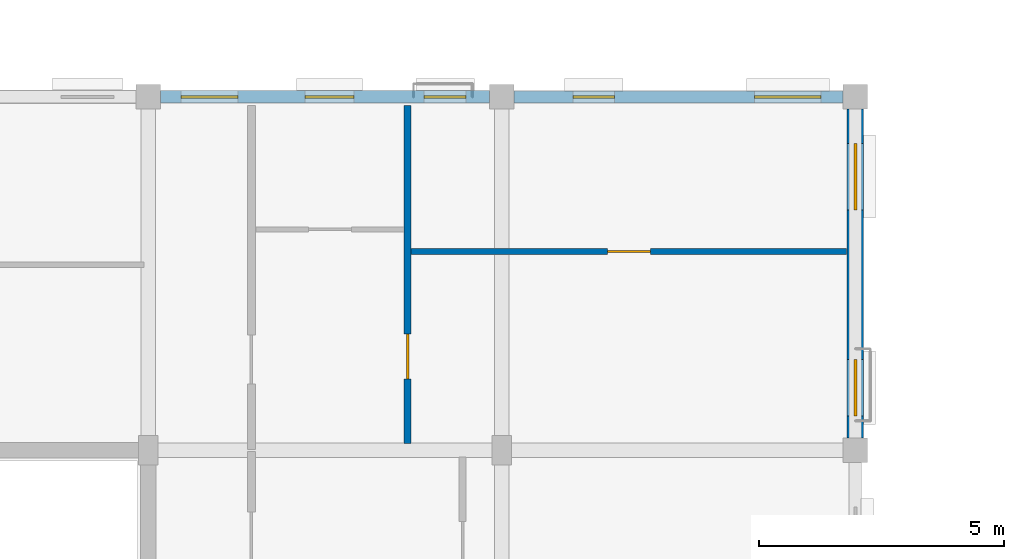
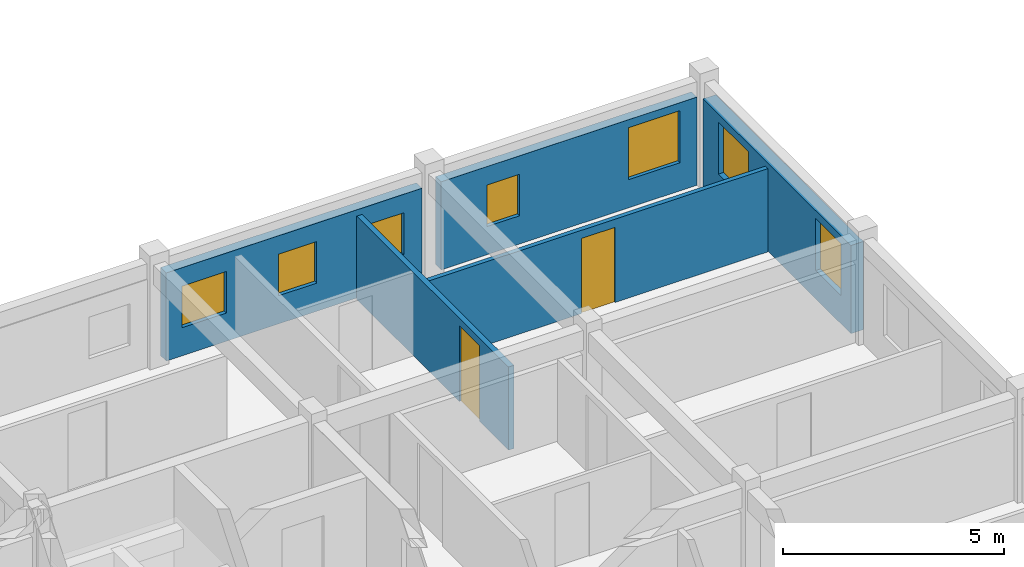
# One storey, part 20 of 38: 7 windows, 5 walls, 2 doors, 9 openings.
"""IFC4 building model written with IfcOpenShell, lengths in metres."""

from ifc_helpers import new_model, si_unit, direction, frame, frame_2d, origin, place, context, subcontext, project, spatial, rectangle, extrude, material, layer, layer_set, type_object, element, fill, save


model = new_model("IFC4")

# Units and contexts
model_context = context("Model", 3, precision=1e-05, world=origin(), true_north=direction((0.0, 1.0)))
body_context = subcontext(model_context, "Body", "Model", "MODEL_VIEW")
ifc_project = project(units=[si_unit("LENGTHUNIT", "METRE"), si_unit("AREAUNIT", "SQUARE_METRE"), si_unit("VOLUMEUNIT", "CUBIC_METRE"), si_unit("PLANEANGLEUNIT", "RADIAN"), si_unit("MASSUNIT", "GRAM", prefix="KILO"), si_unit("THERMODYNAMICTEMPERATUREUNIT", "KELVIN"), si_unit("POWERUNIT", "WATT")], contexts=[model_context])

# Site, building, storey
site_placement = place(None, origin())
site = spatial("IfcSite", under=ifc_project, at=site_placement, CompositionType="ELEMENT")
building_placement = place(site_placement, origin())
building = spatial("IfcBuilding", under=site, at=building_placement, Name="Tavuni Mirador Residences", CompositionType="ELEMENT")
storey_placement = place(building_placement, frame((0.0, 0.0, 32.85009765625)))
storey = spatial("IfcBuildingStorey", under=building, at=storey_placement, Name="L10", CompositionType="ELEMENT", Elevation=32.85009765625)

# Wall, openings, windows
ifc_material_1 = material(Name="Precast concrete C40/50", Category="concrete")
ifc_layer_1 = layer(ifc_material_1, 0.330078125, Name="Precast concrete C40/50", Category="concrete")
ifc_layer_set_1 = layer_set([ifc_layer_1], Name="Precast concrete C40/50")
wall_type_1 = type_object("IfcWallType", Name="WT-EXT-COR330", PredefinedType="SOLIDWALL", material=ifc_layer_set_1)
wall_1_placement = place(storey_placement, frame((32.39990234375, 36.25, 0.0), z_axis=(0.0, 0.0, 1.0), x_axis=(0.0, 1.0, 0.0)))
wall_1 = element("IfcWall", 1, at=wall_1_placement, inside=storey, type_object=wall_type_1, Name="EW-BLK-A-L10-E04", PredefinedType="SOLIDWALL", context=body_context, shape_type="SweptSolid", body=[
    extrude(rectangle(XDim=6.699951171875, YDim=0.330078125, at=frame_2d((3.35009765625, 0.0))), origin(), (0.0, 0.0, 1.0), 2.43994140625),
])
opening_1_placement = place(wall_1_placement, frame((0.449951171875, 0.0, 0.780029296875)))
opening_1 = element("IfcOpeningElement", 2, at=opening_1_placement, cuts=wall_1, Name="Opening WN-27", PredefinedType="OPENING", context=body_context, shape_type="SweptSolid", body=[
    extrude(rectangle(XDim=1.14990234375, YDim=1.43994140625, at=frame_2d((0.574951171875, 0.719970703125))), frame((0.0, 0.175048828125, 0.0), z_axis=(0.0, -1.0, 0.0), x_axis=(1.0, 0.0, 0.0)), (0.0, 0.0, 1.0), 0.35009765625),
])
opening_2_placement = place(wall_1_placement, frame((4.64990234375, 0.0, 0.780029296875)))
opening_2 = element("IfcOpeningElement", 3, at=opening_2_placement, cuts=wall_1, Name="Opening WN-29", PredefinedType="OPENING", context=body_context, shape_type="SweptSolid", body=[
    extrude(rectangle(XDim=1.35009765625, YDim=1.43994140625, at=frame_2d((0.675048828125, 0.719970703125))), frame((0.0, 0.175048828125, 0.0), z_axis=(0.0, -1.0, 0.0), x_axis=(1.0, 0.0, 0.0)), (0.0, 0.0, 1.0), 0.35009765625),
])
ifc_material_2 = material(Name="Laminated solar-control glass", Category="glass")
window_type_1 = type_object("IfcWindowType", Name="WNT-27", PartitioningType="SINGLE_PANEL", PredefinedType="WINDOW", material=ifc_material_2)
window_1_placement = place(opening_1_placement, origin())
window_1 = element("IfcWindow", 4, at=window_1_placement, inside=storey, type_object=window_type_1, Name="WIN-0376", OverallHeight=1.43994140625, OverallWidth=1.14990234375, PartitioningType="SINGLE_PANEL", PredefinedType="WINDOW", context=body_context, shape_type="SweptSolid", body=[
    extrude(rectangle(XDim=1.14990234375, YDim=1.43994140625, at=frame_2d((0.574951171875, 0.719970703125))), frame((0.0, 0.030029296875, 0.0), z_axis=(0.0, -1.0, 0.0), x_axis=(1.0, 0.0, 0.0)), (0.0, 0.0, 1.0), 0.06005859375),
])
fill(opening_1, window_1)
window_type_2 = type_object("IfcWindowType", Name="WNT-29", PartitioningType="SINGLE_PANEL", PredefinedType="WINDOW", material=ifc_material_2)
window_2_placement = place(opening_2_placement, origin())
window_2 = element("IfcWindow", 5, at=window_2_placement, inside=storey, type_object=window_type_2, Name="WIN-0377", OverallHeight=1.43994140625, OverallWidth=1.35009765625, PartitioningType="SINGLE_PANEL", PredefinedType="WINDOW", context=body_context, shape_type="SweptSolid", body=[
    extrude(rectangle(XDim=1.35009765625, YDim=1.43994140625, at=frame_2d((0.675048828125, 0.719970703125))), frame((0.0, 0.030029296875, 0.0), z_axis=(0.0, -1.0, 0.0), x_axis=(1.0, 0.0, 0.0)), (0.0, 0.0, 1.0), 0.06005859375),
])
fill(opening_2, window_2)

ifc_material_3 = material(Name="Sgraffito lime-rendered precast concrete C40/50", Category="concrete")
ifc_layer_2 = layer(ifc_material_3, 0.2451171875, Name="Sgraffito lime-rendered precast concrete C40/50", Category="concrete")
ifc_layer_set_2 = layer_set([ifc_layer_2], Name="Sgraffito lime-rendered precast concrete C40/50")
wall_type_2 = type_object("IfcWallType", Name="WT-EXT-PC245", PredefinedType="SOLIDWALL", material=ifc_layer_set_2)
wall_2_placement = place(storey_placement, frame((32.14990234375, 43.199951171875, 0.0), z_axis=(0.0, 0.0, 1.0), x_axis=(-1.0, 0.0, 0.0)))
wall_2 = element("IfcWall", 6, at=wall_2_placement, inside=storey, type_object=wall_type_2, Name="EW-BLK-A-L10-N03", PredefinedType="SOLIDWALL", context=body_context, shape_type="SweptSolid", body=[
    extrude(rectangle(XDim=6.699951171875, YDim=0.2451171875, at=frame_2d((3.35009765625, 0.0))), origin(), (0.0, 0.0, 1.0), 2.43994140625),
])
opening_3_placement = place(wall_2_placement, frame((0.449951171875, 0.0, 0.780029296875)))
opening_3 = element("IfcOpeningElement", 7, at=opening_3_placement, cuts=wall_2, Name="Opening WN-29", PredefinedType="OPENING", context=body_context, shape_type="SweptSolid", body=[
    extrude(rectangle(XDim=1.35009765625, YDim=1.43994140625, at=frame_2d((0.675048828125, 0.719970703125))), frame((0.0, 0.132568359375, 0.0), z_axis=(0.0, -1.0, 0.0), x_axis=(1.0, 0.0, 0.0)), (0.0, 0.0, 1.0), 0.26513671875),
])
opening_4_placement = place(wall_2_placement, frame((4.64990234375, 0.0, 0.780029296875)))
opening_4 = element("IfcOpeningElement", 8, at=opening_4_placement, cuts=wall_2, Name="Opening WN-01", PredefinedType="OPENING", context=body_context, shape_type="SweptSolid", body=[
    extrude(rectangle(XDim=0.85009765625, YDim=1.14990234375, at=frame_2d((0.425048828125, 0.574951171875))), frame((0.0, 0.132568359375, 0.0), z_axis=(0.0, -1.0, 0.0), x_axis=(1.0, 0.0, 0.0)), (0.0, 0.0, 1.0), 0.26513671875),
])
window_type_3 = type_object("IfcWindowType", Name="WNT-01", PartitioningType="SINGLE_PANEL", PredefinedType="WINDOW", material=ifc_material_2)
window_3_placement = place(opening_4_placement, origin())
window_3 = element("IfcWindow", 9, at=window_3_placement, inside=storey, type_object=window_type_3, Name="WIN-0379", OverallHeight=1.14990234375, OverallWidth=0.85009765625, PartitioningType="SINGLE_PANEL", PredefinedType="WINDOW", context=body_context, shape_type="SweptSolid", body=[
    extrude(rectangle(XDim=0.85009765625, YDim=1.14990234375, at=frame_2d((0.425048828125, 0.574951171875))), frame((0.0, 0.030029296875, 0.0), z_axis=(0.0, -1.0, 0.0), x_axis=(1.0, 0.0, 0.0)), (0.0, 0.0, 1.0), 0.06005859375),
])
fill(opening_4, window_3)
window_4_placement = place(opening_3_placement, origin())
window_4 = element("IfcWindow", 10, at=window_4_placement, inside=storey, type_object=window_type_2, Name="WIN-0378", OverallHeight=1.43994140625, OverallWidth=1.35009765625, PartitioningType="SINGLE_PANEL", PredefinedType="WINDOW", context=body_context, shape_type="SweptSolid", body=[
    extrude(rectangle(XDim=1.35009765625, YDim=1.43994140625, at=frame_2d((0.675048828125, 0.719970703125))), frame((0.0, 0.030029296875, 0.0), z_axis=(0.0, -1.0, 0.0), x_axis=(1.0, 0.0, 0.0)), (0.0, 0.0, 1.0), 0.06005859375),
])
fill(opening_3, window_4)

ifc_layer_3 = layer(ifc_material_3, 0.2548828125, Name="Sgraffito lime-rendered precast concrete C40/50", Category="concrete")
ifc_layer_set_3 = layer_set([ifc_layer_3], Name="Sgraffito lime-rendered precast concrete C40/50")
wall_type_3 = type_object("IfcWallType", Name="WT-EXT-PC255", PredefinedType="SOLIDWALL", material=ifc_layer_set_3)
wall_3_placement = place(storey_placement, frame((24.949951171875, 43.199951171875, 0.0), z_axis=(0.0, 0.0, 1.0), x_axis=(-1.0, 0.0, 0.0)))
wall_3 = element("IfcWall", 11, at=wall_3_placement, inside=storey, type_object=wall_type_3, Name="EW-BLK-A-L10-N02", PredefinedType="SOLIDWALL", context=body_context, shape_type="SweptSolid", body=[
    extrude(rectangle(XDim=6.699951171875, YDim=0.2548828125, at=frame_2d((3.35009765625, 0.0))), origin(), (0.0, 0.0, 1.0), 2.43994140625),
])
opening_5_placement = place(wall_3_placement, frame((0.47998046875, 0.0, 0.780029296875)))
opening_5 = element("IfcOpeningElement", 12, at=opening_5_placement, cuts=wall_3, Name="Opening WN-01", PredefinedType="OPENING", context=body_context, shape_type="SweptSolid", body=[
    extrude(rectangle(XDim=0.85009765625, YDim=1.14990234375, at=frame_2d((0.425048828125, 0.574951171875))), frame((0.0, 0.137451171875, 0.0), z_axis=(0.0, -1.0, 0.0), x_axis=(1.0, 0.0, 0.0)), (0.0, 0.0, 1.0), 0.27490234375),
])
opening_6_placement = place(wall_3_placement, frame((2.760009765625, 0.0, 0.780029296875)))
opening_6 = element("IfcOpeningElement", 13, at=opening_6_placement, cuts=wall_3, Name="Opening WN-03", PredefinedType="OPENING", context=body_context, shape_type="SweptSolid", body=[
    extrude(rectangle(XDim=1.0, YDim=1.14990234375, at=frame_2d((0.5, 0.574951171875))), frame((0.0, 0.137451171875, 0.0), z_axis=(0.0, -1.0, 0.0), x_axis=(1.0, 0.0, 0.0)), (0.0, 0.0, 1.0), 0.27490234375),
])
opening_7_placement = place(wall_3_placement, frame((5.125, 0.0, 0.780029296875)))
opening_7 = element("IfcOpeningElement", 14, at=opening_7_placement, cuts=wall_3, Name="Opening WN-05", PredefinedType="OPENING", context=body_context, shape_type="SweptSolid", body=[
    extrude(rectangle(XDim=1.159912109375, YDim=1.14990234375, at=frame_2d((0.580078125, 0.574951171875))), frame((0.0, 0.137451171875, 0.0), z_axis=(0.0, -1.0, 0.0), x_axis=(1.0, 0.0, 0.0)), (0.0, 0.0, 1.0), 0.27490234375),
])
window_5_placement = place(opening_5_placement, origin())
window_5 = element("IfcWindow", 15, at=window_5_placement, inside=storey, type_object=window_type_3, Name="WIN-0380", OverallHeight=1.14990234375, OverallWidth=0.85009765625, PartitioningType="SINGLE_PANEL", PredefinedType="WINDOW", context=body_context, shape_type="SweptSolid", body=[
    extrude(rectangle(XDim=0.85009765625, YDim=1.14990234375, at=frame_2d((0.425048828125, 0.574951171875))), frame((0.0, 0.030029296875, 0.0), z_axis=(0.0, -1.0, 0.0), x_axis=(1.0, 0.0, 0.0)), (0.0, 0.0, 1.0), 0.06005859375),
])
fill(opening_5, window_5)
window_type_4 = type_object("IfcWindowType", Name="WNT-03", PartitioningType="SINGLE_PANEL", PredefinedType="WINDOW", material=ifc_material_2)
window_6_placement = place(opening_6_placement, origin())
window_6 = element("IfcWindow", 16, at=window_6_placement, inside=storey, type_object=window_type_4, Name="WIN-0381", OverallHeight=1.14990234375, OverallWidth=1.0, PartitioningType="SINGLE_PANEL", PredefinedType="WINDOW", context=body_context, shape_type="SweptSolid", body=[
    extrude(rectangle(XDim=1.0, YDim=1.14990234375, at=frame_2d((0.5, 0.574951171875))), frame((0.0, 0.030029296875, 0.0), z_axis=(0.0, -1.0, 0.0), x_axis=(1.0, 0.0, 0.0)), (0.0, 0.0, 1.0), 0.06005859375),
])
fill(opening_6, window_6)
window_type_5 = type_object("IfcWindowType", Name="WNT-05", PartitioningType="SINGLE_PANEL", PredefinedType="WINDOW", material=ifc_material_2)
window_7_placement = place(opening_7_placement, origin())
window_7 = element("IfcWindow", 17, at=window_7_placement, inside=storey, type_object=window_type_5, Name="WIN-0382", OverallHeight=1.14990234375, OverallWidth=1.159912109375, PartitioningType="SINGLE_PANEL", PredefinedType="WINDOW", context=body_context, shape_type="SweptSolid", body=[
    extrude(rectangle(XDim=1.159912109375, YDim=1.14990234375, at=frame_2d((0.580078125, 0.574951171875))), frame((0.0, 0.030029296875, 0.0), z_axis=(0.0, -1.0, 0.0), x_axis=(1.0, 0.0, 0.0)), (0.0, 0.0, 1.0), 0.06005859375),
])
fill(opening_7, window_7)

# Wall, opening, door
ifc_material_4 = material(Name="Acoustic gypsum and concrete block partition", Category="concrete")
ifc_layer_4 = layer(ifc_material_4, 0.114990234375, Name="Acoustic gypsum and concrete block partition", Category="concrete")
ifc_layer_set_4 = layer_set([ifc_layer_4], Name="Acoustic gypsum and concrete block partition")
wall_type_4 = type_object("IfcWallType", Name="WT-PART115", PredefinedType="PARTITIONING", material=ifc_layer_set_4)
wall_4_placement = place(storey_placement, frame((23.35009765625, 40.050048828125, 0.0), z_axis=(0.0, 0.0, 1.0), x_axis=(1.0, 0.0, 0.0)))
wall_4 = element("IfcWall", 18, at=wall_4_placement, inside=storey, type_object=wall_type_4, Name="PW-BLK-A-L10-E04-OUT", PredefinedType="PARTITIONING", context=body_context, shape_type="SweptSolid", body=[
    extrude(rectangle(XDim=8.875, YDim=0.114990234375, at=frame_2d((4.4375, 0.0))), origin(), (0.0, 0.0, 1.0), 2.304931640625),
])
opening_8_placement = place(wall_4_placement, frame((3.99755859375, 0.0, 0.0)))
opening_8 = element("IfcOpeningElement", 19, at=opening_8_placement, cuts=wall_4, Name="Opening D-08", PredefinedType="OPENING", context=body_context, shape_type="SweptSolid", body=[
    extrude(rectangle(XDim=0.8798828125, YDim=2.080078125, at=frame_2d((0.43994140625, 1.0400390625))), frame((0.0, 0.0673828125, 0.0), z_axis=(0.0, -1.0, 0.0), x_axis=(1.0, 0.0, 0.0)), (0.0, 0.0, 1.0), 0.135009765625),
])
ifc_material_5 = material(Name="Solid core iroko timber", Category="wood")
door_type_1 = type_object("IfcDoorType", Name="DT-BED880", OperationType="NOTDEFINED", PredefinedType="DOOR", material=ifc_material_5)
door_1_placement = place(opening_8_placement, origin())
door_1 = element("IfcDoor", 20, at=door_1_placement, inside=storey, type_object=door_type_1, Name="DR-3284", OperationType="SINGLE_SWING_RIGHT", OverallHeight=2.080078125, OverallWidth=0.8798828125, PredefinedType="DOOR", context=body_context, shape_type="SweptSolid", body=[
    extrude(rectangle(XDim=0.8798828125, YDim=2.080078125, at=frame_2d((0.43994140625, 1.0400390625))), frame((0.0, 0.02490234375, 0.0), z_axis=(0.0, -1.0, 0.0), x_axis=(1.0, 0.0, 0.0)), (0.0, 0.0, 1.0), 0.050048828125),
])
fill(opening_8, door_1)

ifc_layer_5 = layer(ifc_material_4, 0.139892578125, Name="Acoustic gypsum and concrete block partition", Category="concrete")
ifc_layer_set_5 = layer_set([ifc_layer_5], Name="Acoustic gypsum and concrete block partition")
wall_type_5 = type_object("IfcWallType", Name="WT-PART140", PredefinedType="PARTITIONING", material=ifc_layer_set_5)
wall_5_placement = place(storey_placement, frame((23.280029296875, 36.139892578125, 0.0), z_axis=(0.0, 0.0, 1.0), x_axis=(0.0, 1.0, 0.0)))
wall_5 = element("IfcWall", 21, at=wall_5_placement, inside=storey, type_object=wall_type_5, Name="PW-BLK-A-L10-E04-MID", PredefinedType="PARTITIONING", context=body_context, shape_type="SweptSolid", body=[
    extrude(rectangle(XDim=6.885009765625, YDim=0.139892578125, at=frame_2d((3.4423828125, 0.0))), origin(), (0.0, 0.0, 1.0), 2.304931640625),
])
opening_9_placement = place(wall_5_placement, frame((1.31005859375, 0.0, 0.0)))
opening_9 = element("IfcOpeningElement", 22, at=opening_9_placement, cuts=wall_5, Name="Opening D-06", PredefinedType="OPENING", context=body_context, shape_type="SweptSolid", body=[
    extrude(rectangle(XDim=0.919921875, YDim=2.10009765625, at=frame_2d((0.4599609375, 1.050048828125))), frame((0.0, 0.080078125, 0.0), z_axis=(0.0, -1.0, 0.0), x_axis=(1.0, 0.0, 0.0)), (0.0, 0.0, 1.0), 0.159912109375),
])
door_type_2 = type_object("IfcDoorType", Name="DT-INT920", OperationType="NOTDEFINED", PredefinedType="DOOR", material=ifc_material_5)
door_2_placement = place(opening_9_placement, origin())
door_2 = element("IfcDoor", 23, at=door_2_placement, inside=storey, type_object=door_type_2, Name="DR-3286", OperationType="SINGLE_SWING_RIGHT", OverallHeight=2.10009765625, OverallWidth=0.919921875, PredefinedType="DOOR", context=body_context, shape_type="SweptSolid", body=[
    extrude(rectangle(XDim=0.919921875, YDim=2.10009765625, at=frame_2d((0.4599609375, 1.050048828125))), frame((0.0, 0.02490234375, 0.0), z_axis=(0.0, -1.0, 0.0), x_axis=(1.0, 0.0, 0.0)), (0.0, 0.0, 1.0), 0.050048828125),
])
fill(opening_9, door_2)

save(model, "model.ifc")
